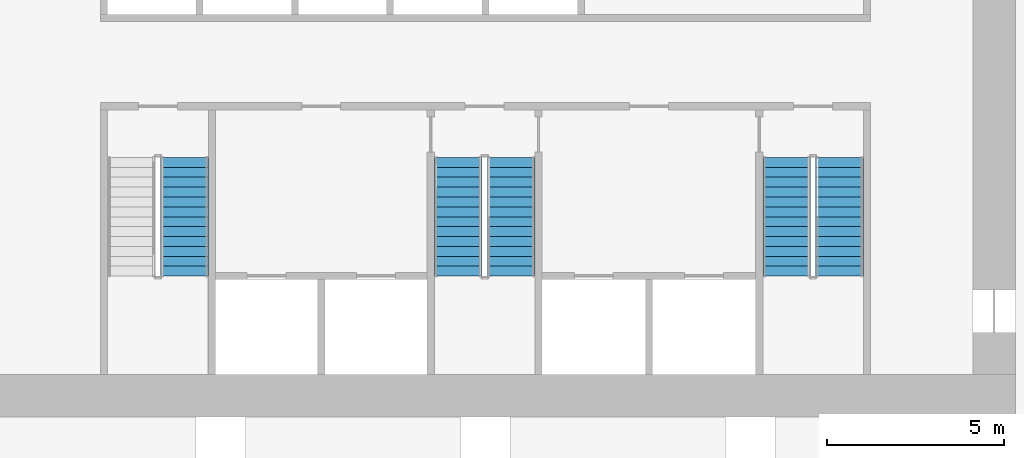
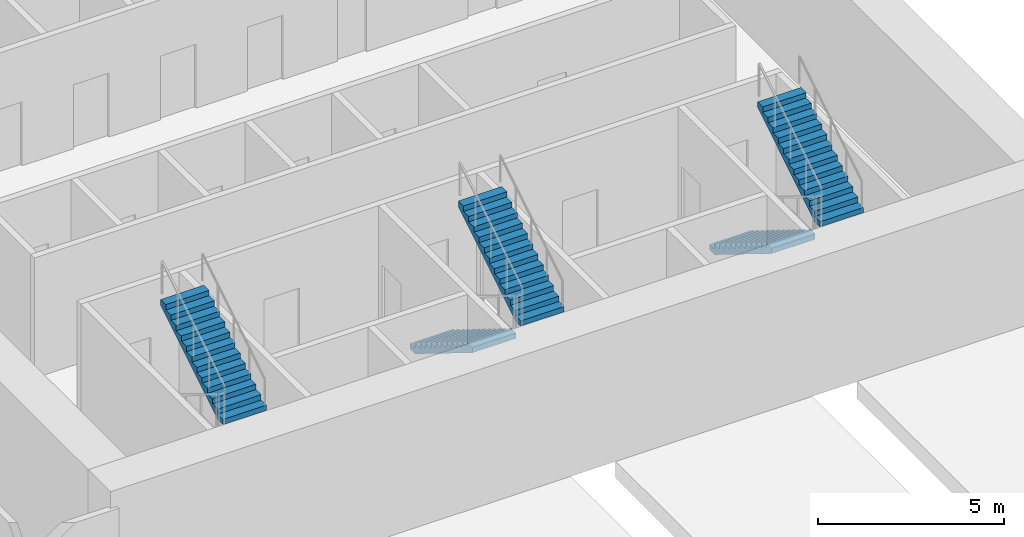
# One storey, part 10 of 13: 5 stair flights, 3 elements without a shape of their own.
"""IFC4 building model written with IfcOpenShell, lengths in metres."""

import ifcopenshell
import ifcopenshell.guid

model = None  # the IFC model being written
_history = None  # IfcOwnerHistory: only IFC2X3 demands one
_inside = {}  # id of a spatial element -> (the spatial element, [elements in it])
_under = {}  # id of a project, library or spatial element -> (it, [spatial elements below it])
_declared = {}  # id of a project -> (the project, [libraries it declares])
_typed = {}  # id of a type object -> (the type object, [elements of that type])
_made_of = {}  # id of a material, layer set ... -> (it, [elements and type objects made of it])


def new_model(schema):
    """Start an empty IFC model of exactly this schema.

    Asked for "IFC4X3", IfcOpenShell would pick the latest addendum, in which some entities
    have other attributes; the version numbers below select the first issue.
    IFC2X3 requires an IfcOwnerHistory on every rooted entity: one is made here for all.
    """
    global model, _history
    if schema == "IFC4X3":
        model = ifcopenshell.file(schema_version=(4, 3, 0, 0))
    else:
        model = ifcopenshell.file(schema=schema)
    _inside.clear()
    _under.clear()
    _declared.clear()
    _typed.clear()
    _made_of.clear()
    _history = None
    if model.schema == "IFC2X3":
        org = make("IfcOrganization", Name="unknown")
        user = make(
            "IfcPersonAndOrganization",
            ThePerson=make("IfcPerson", FamilyName="unknown"),
            TheOrganization=org,
        )
        app = make(
            "IfcApplication",
            ApplicationDeveloper=org,
            Version="unknown",
            ApplicationFullName="unknown",
            ApplicationIdentifier="unknown",
        )
        _history = make(
            "IfcOwnerHistory",
            OwningUser=user,
            OwningApplication=app,
            ChangeAction="ADDED",
            CreationDate=0,
        )
    return model


def make(cls, **values):
    """One entity of the class cls with the attributes given. An attribute that is None is left unset."""
    return model.create_entity(
        cls, **{name: value for name, value in values.items() if value is not None}
    )


def rooted(cls, **values):
    """An entity with a GlobalId (a new one), such as an element, a storey or a relation."""
    return make(cls, GlobalId=ifcopenshell.guid.new(), OwnerHistory=_history, **values)


def si_unit(unit_type, name, prefix=None):
    """IfcSIUnit, for example si_unit("LENGTHUNIT", "METRE", prefix="MILLI")."""
    return make("IfcSIUnit", UnitType=unit_type, Prefix=prefix, Name=name)


def assignment(units):
    """IfcUnitAssignment: the units of a project."""
    return None if units is None else make("IfcUnitAssignment", Units=units)


def point(xyz):
    """IfcCartesianPoint."""
    return None if xyz is None else make("IfcCartesianPoint", Coordinates=xyz)


def direction(xyz):
    """IfcDirection."""
    return None if xyz is None else make("IfcDirection", DirectionRatios=xyz)


def frame(location, z_axis=None, x_axis=None):
    """IfcAxis2Placement3D, a coordinate frame: its origin and axes. An axis left out is left unset."""
    return make(
        "IfcAxis2Placement3D",
        Location=point(location),
        Axis=direction(z_axis),
        RefDirection=direction(x_axis),
    )


def origin():
    """The frame at (0, 0, 0) with its axes left unset."""
    return frame((0.0, 0.0, 0.0))


def place(relative_to, where):
    """IfcLocalPlacement: puts the frame where relative to a parent placement (None: the world)."""
    return make(
        "IfcLocalPlacement", PlacementRelTo=relative_to, RelativePlacement=where
    )


def context(
    kind, dimensions, precision=None, world=None, true_north=None, identifier=None
):
    """IfcGeometricRepresentationContext, for example the 3D "Model" context."""
    return make(
        "IfcGeometricRepresentationContext",
        ContextIdentifier=identifier,
        ContextType=kind,
        CoordinateSpaceDimension=dimensions,
        Precision=precision,
        WorldCoordinateSystem=world,
        TrueNorth=true_north,
    )


def subcontext(parent, identifier, kind, view, scale=None):
    """IfcGeometricRepresentationSubContext, for example "Body" below "Model"."""
    return make(
        "IfcGeometricRepresentationSubContext",
        ContextIdentifier=identifier,
        ContextType=kind,
        ParentContext=parent,
        TargetScale=scale,
        TargetView=view,
    )


def project(units=None, contexts=None):
    """IfcProject with its units and contexts."""
    return rooted(
        "IfcProject",
        Name="project",
        RepresentationContexts=contexts,
        UnitsInContext=assignment(units),
    )


def spatial(cls, under=None, at=None, **own):
    """A site, building, storey or space (cls), placed at a placement, below another one or the project."""
    s = rooted(cls, ObjectPlacement=at, **own)
    if under is not None:
        _under.setdefault(under.id(), (under, []))[1].append(s)
    return s


def polyline(points):
    """IfcPolyline through the points."""
    return make("IfcPolyline", Points=[point(p) for p in points])


def outline(outer, holes=None, kind="AREA"):
    """IfcArbitraryClosedProfileDef: a profile drawn as a closed curve; with holes, ...WithVoids."""
    if holes is None:
        return make("IfcArbitraryClosedProfileDef", ProfileType=kind, OuterCurve=outer)
    return make(
        "IfcArbitraryProfileDefWithVoids",
        ProfileType=kind,
        OuterCurve=outer,
        InnerCurves=holes,
    )


def extrude(swept, where, along, depth):
    """IfcExtrudedAreaSolid: the profile swept, set in the frame where, extruded along a direction by depth."""
    return make(
        "IfcExtrudedAreaSolid",
        SweptArea=swept,
        Position=where,
        ExtrudedDirection=direction(along),
        Depth=depth,
    )


def shape(context_of_items, identifier, shape_type, items):
    """IfcShapeRepresentation: the items that make up one representation, for example the "Body"."""
    return make(
        "IfcShapeRepresentation",
        ContextOfItems=context_of_items,
        RepresentationIdentifier=identifier,
        RepresentationType=shape_type,
        Items=items,
    )


def material(Name=None, Category=None):
    """IfcMaterial."""
    return make("IfcMaterial", Name=Name, Category=Category)


def made_of(thing, what):
    """Note that an element or type object is made of a material, layer set ...; save() writes the relation."""
    if what is not None:
        _made_of.setdefault(what.id(), (what, []))[1].append(thing)
    return thing


def type_object(cls, material=None, **own):
    """A type object (cls), such as IfcWallType, which elements share."""
    return made_of(rooted(cls, **own), material)


def element(
    cls,
    number,
    at=None,
    inside=None,
    cuts=None,
    type_object=None,
    material=None,
    context=None,
    identifier="Body",
    shape_type=None,
    held_by="IfcProductDefinitionShape",
    body=None,
    shapes=None,
    **own,
):
    """One element of the class cls, such as IfcWall. Its Tag is "e" and its number.

    at: its placement. inside: the storey or other place that contains it. cuts: it is an
    opening in that element (IfcRelVoidsElement). A single representation is given by context,
    identifier, shape_type and body (its items); several are given by shapes. held_by: the class
    of the entity that holds the representations. save() writes the other relations.
    """
    e = rooted(cls, Tag="e%d" % number, ObjectPlacement=at, **own)
    if body is not None:
        shapes = [shape(context, identifier, shape_type, body)]
    if shapes is not None:
        e.Representation = make(held_by, Representations=shapes)
    if inside is not None:
        _inside.setdefault(inside.id(), (inside, []))[1].append(e)
    if cuts is not None:
        rooted(
            "IfcRelVoidsElement", RelatingBuildingElement=cuts, RelatedOpeningElement=e
        )
    if type_object is not None:
        _typed.setdefault(type_object.id(), (type_object, []))[1].append(e)
    return made_of(e, material)


def aggregate(whole, parts):
    """IfcRelAggregates: a whole, such as a stair, and the parts it consists of."""
    return rooted("IfcRelAggregates", RelatingObject=whole, RelatedObjects=parts)


def save(model, path):
    """Write the relations noted so far, then the file.

    IfcRelAggregates (storeys below a building ...), IfcRelContainedInSpatialStructure (elements
    in a storey), IfcRelDefinesByType, IfcRelAssociatesMaterial and IfcRelDeclares: one each for
    every whole, place, type object, material and project.
    """
    for whole, parts in _under.values():
        aggregate(whole, parts)
    for where, things in _inside.values():
        rooted(
            "IfcRelContainedInSpatialStructure",
            RelatedElements=things,
            RelatingStructure=where,
        )
    for kind, things in _typed.values():
        rooted("IfcRelDefinesByType", RelatedObjects=things, RelatingType=kind)
    for what, things in _made_of.values():
        rooted("IfcRelAssociatesMaterial", RelatedObjects=things, RelatingMaterial=what)
    for by, libraries in _declared.values():
        rooted("IfcRelDeclares", RelatingContext=by, RelatedDefinitions=libraries)
    model.write(path)


model = new_model("IFC4")

# Units and contexts
model_context = context("Model", 3, precision=1e-05, world=origin(), true_north=direction((0.0, 1.0)))
body_context = subcontext(model_context, "Body", "Model", "MODEL_VIEW")
ifc_project = project(units=[si_unit("LENGTHUNIT", "METRE"), si_unit("AREAUNIT", "SQUARE_METRE"), si_unit("VOLUMEUNIT", "CUBIC_METRE"), si_unit("PLANEANGLEUNIT", "RADIAN"), si_unit("MASSUNIT", "GRAM", prefix="KILO")], contexts=[model_context])

# Site, building, storey
site_placement = place(None, origin())
site = spatial("IfcSite", under=ifc_project, at=site_placement, CompositionType="ELEMENT")
building_placement = place(site_placement, origin())
building = spatial("IfcBuilding", under=site, at=building_placement, Name="Mangrove Gate Tower", CompositionType="ELEMENT")
storey_placement = place(building_placement, frame((0.0, 0.0, 20.5)))
storey = spatial("IfcBuildingStorey", under=building, at=storey_placement, Name="L04", CompositionType="ELEMENT", Elevation=20.5)

# Stair, stair flight
ifc_material_1 = material(Name="Concrete C40/50", Category="concrete")
stair_type = type_object("IfcStairType", Name="Core stair 1350", PredefinedType="HALF_TURN_STAIR", material=ifc_material_1)
stair_1_placement = place(storey_placement, origin())
stair_1 = element("IfcStair", 1, at=stair_1_placement, inside=storey, type_object=stair_type, Name="L04 Stair 1", PredefinedType="HALF_TURN_STAIR")
ifc_material_2 = material(Name="Concrete C40/50", Category="concrete")
stair_flight_type = type_object("IfcStairFlightType", Name="Core stair flight 1350", PredefinedType="STRAIGHT", material=ifc_material_2)
stair_flight_1_placement = place(storey_placement, frame((-8.52490234375, -8.010009765625, 2.25), z_axis=(0.0, 0.0, 1.0), x_axis=(0.0, 1.0, 0.0)))
stair_flight_1 = element("IfcStairFlight", 2, at=stair_flight_1_placement, type_object=stair_flight_type, Name="ST1 flight 2", NumberOfRisers=13, NumberOfTreads=12, PredefinedType="STRAIGHT", RiserHeight=0.173076923, TreadLength=0.28, context=body_context, shape_type="SweptSolid", body=[
    extrude(outline(polyline([(0.0, 0.0), (0.0, 0.173095703125), (0.280029296875, 0.173095703125), (0.280029296875, 0.34619140625), (0.56005859375, 0.34619140625), (0.56005859375, 0.519287109375), (0.840087890625, 0.519287109375), (0.840087890625, 0.6923828125), (1.1201171875, 0.6923828125), (1.1201171875, 0.865478515625), (1.39990234375, 0.865478515625), (1.39990234375, 1.03857421875), (1.679931640625, 1.03857421875), (1.679931640625, 1.21142578125), (1.9599609375, 1.21142578125), (1.9599609375, 1.384521484375), (2.239990234375, 1.384521484375), (2.239990234375, 1.5576171875), (2.52001953125, 1.5576171875), (2.52001953125, 1.730712890625), (2.800048828125, 1.730712890625), (2.800048828125, 1.90380859375), (3.080078125, 1.90380859375), (3.080078125, 2.076904296875), (3.360107421875, 2.076904296875), (3.360107421875, 2.25), (3.360107421875, 1.900634765625), (0.28515625, 0.0), (0.0, 0.0)])), frame((0.0, 0.675048828125, 0.0), z_axis=(0.0, -1.0, 0.0), x_axis=(1.0, 0.0, 0.0)), (0.0, 0.0, 1.0), 1.35009765625),
])
aggregate(stair_1, [stair_flight_1])

# Stair, stair flights
stair_2_placement = place(storey_placement, origin())
stair_2 = element("IfcStair", 3, at=stair_2_placement, inside=storey, type_object=stair_type, Name="L04 Stair 2", PredefinedType="HALF_TURN_STAIR")
stair_flight_2_placement = place(storey_placement, frame((-0.77490234375, -4.64990234375, 0.0), z_axis=(0.0, 0.0, 1.0), x_axis=(0.0, -1.0, 0.0)))
stair_flight_2 = element("IfcStairFlight", 4, at=stair_flight_2_placement, type_object=stair_flight_type, Name="ST2 flight 1", NumberOfRisers=13, NumberOfTreads=12, PredefinedType="STRAIGHT", RiserHeight=0.173076923, TreadLength=0.28, context=body_context, shape_type="SweptSolid", body=[
    extrude(outline(polyline([(0.0, 0.0), (0.0, 0.173095703125), (0.280029296875, 0.173095703125), (0.280029296875, 0.34619140625), (0.56005859375, 0.34619140625), (0.56005859375, 0.519287109375), (0.840087890625, 0.519287109375), (0.840087890625, 0.6923828125), (1.1201171875, 0.6923828125), (1.1201171875, 0.865478515625), (1.39990234375, 0.865478515625), (1.39990234375, 1.03857421875), (1.679931640625, 1.03857421875), (1.679931640625, 1.21142578125), (1.9599609375, 1.21142578125), (1.9599609375, 1.384521484375), (2.239990234375, 1.384521484375), (2.239990234375, 1.5576171875), (2.52001953125, 1.5576171875), (2.52001953125, 1.730712890625), (2.800048828125, 1.730712890625), (2.800048828125, 1.90380859375), (3.080078125, 1.90380859375), (3.080078125, 2.076904296875), (3.360107421875, 2.076904296875), (3.360107421875, 2.25), (3.360107421875, 1.900634765625), (0.28515625, 0.0), (0.0, 0.0)])), frame((0.0, 0.675048828125, 0.0), z_axis=(0.0, -1.0, 0.0), x_axis=(1.0, 0.0, 0.0)), (0.0, 0.0, 1.0), 1.35009765625),
])
stair_flight_3_placement = place(storey_placement, frame((0.72509765625, -8.010009765625, 2.25), z_axis=(0.0, 0.0, 1.0), x_axis=(0.0, 1.0, 0.0)))
stair_flight_3 = element("IfcStairFlight", 5, at=stair_flight_3_placement, type_object=stair_flight_type, Name="ST2 flight 2", NumberOfRisers=13, NumberOfTreads=12, PredefinedType="STRAIGHT", RiserHeight=0.173076923, TreadLength=0.28, context=body_context, shape_type="SweptSolid", body=[
    extrude(outline(polyline([(0.0, 0.0), (0.0, 0.173095703125), (0.280029296875, 0.173095703125), (0.280029296875, 0.34619140625), (0.56005859375, 0.34619140625), (0.56005859375, 0.519287109375), (0.840087890625, 0.519287109375), (0.840087890625, 0.6923828125), (1.1201171875, 0.6923828125), (1.1201171875, 0.865478515625), (1.39990234375, 0.865478515625), (1.39990234375, 1.03857421875), (1.679931640625, 1.03857421875), (1.679931640625, 1.21142578125), (1.9599609375, 1.21142578125), (1.9599609375, 1.384521484375), (2.239990234375, 1.384521484375), (2.239990234375, 1.5576171875), (2.52001953125, 1.5576171875), (2.52001953125, 1.730712890625), (2.800048828125, 1.730712890625), (2.800048828125, 1.90380859375), (3.080078125, 1.90380859375), (3.080078125, 2.076904296875), (3.360107421875, 2.076904296875), (3.360107421875, 2.25), (3.360107421875, 1.900634765625), (0.28515625, 0.0), (0.0, 0.0)])), frame((0.0, 0.675048828125, 0.0), z_axis=(0.0, -1.0, 0.0), x_axis=(1.0, 0.0, 0.0)), (0.0, 0.0, 1.0), 1.35009765625),
])
aggregate(stair_2, [stair_flight_2, stair_flight_3])

stair_3_placement = place(storey_placement, origin())
stair_3 = element("IfcStair", 6, at=stair_3_placement, inside=storey, type_object=stair_type, Name="L04 Stair 3", PredefinedType="HALF_TURN_STAIR")
stair_flight_4_placement = place(storey_placement, frame((8.52490234375, -4.64990234375, 0.0), z_axis=(0.0, 0.0, 1.0), x_axis=(0.0, -1.0, 0.0)))
stair_flight_4 = element("IfcStairFlight", 7, at=stair_flight_4_placement, type_object=stair_flight_type, Name="ST3 flight 1", NumberOfRisers=13, NumberOfTreads=12, PredefinedType="STRAIGHT", RiserHeight=0.173076923, TreadLength=0.28, context=body_context, shape_type="SweptSolid", body=[
    extrude(outline(polyline([(0.0, 0.0), (0.0, 0.173095703125), (0.280029296875, 0.173095703125), (0.280029296875, 0.34619140625), (0.56005859375, 0.34619140625), (0.56005859375, 0.519287109375), (0.840087890625, 0.519287109375), (0.840087890625, 0.6923828125), (1.1201171875, 0.6923828125), (1.1201171875, 0.865478515625), (1.39990234375, 0.865478515625), (1.39990234375, 1.03857421875), (1.679931640625, 1.03857421875), (1.679931640625, 1.21142578125), (1.9599609375, 1.21142578125), (1.9599609375, 1.384521484375), (2.239990234375, 1.384521484375), (2.239990234375, 1.5576171875), (2.52001953125, 1.5576171875), (2.52001953125, 1.730712890625), (2.800048828125, 1.730712890625), (2.800048828125, 1.90380859375), (3.080078125, 1.90380859375), (3.080078125, 2.076904296875), (3.360107421875, 2.076904296875), (3.360107421875, 2.25), (3.360107421875, 1.900634765625), (0.28515625, 0.0), (0.0, 0.0)])), frame((0.0, 0.675048828125, 0.0), z_axis=(0.0, -1.0, 0.0), x_axis=(1.0, 0.0, 0.0)), (0.0, 0.0, 1.0), 1.35009765625),
])
stair_flight_5_placement = place(storey_placement, frame((10.02490234375, -8.010009765625, 2.25), z_axis=(0.0, 0.0, 1.0), x_axis=(0.0, 1.0, 0.0)))
stair_flight_5 = element("IfcStairFlight", 8, at=stair_flight_5_placement, type_object=stair_flight_type, Name="ST3 flight 2", NumberOfRisers=13, NumberOfTreads=12, PredefinedType="STRAIGHT", RiserHeight=0.173076923, TreadLength=0.28, context=body_context, shape_type="SweptSolid", body=[
    extrude(outline(polyline([(0.0, 0.0), (0.0, 0.173095703125), (0.280029296875, 0.173095703125), (0.280029296875, 0.34619140625), (0.56005859375, 0.34619140625), (0.56005859375, 0.519287109375), (0.840087890625, 0.519287109375), (0.840087890625, 0.6923828125), (1.1201171875, 0.6923828125), (1.1201171875, 0.865478515625), (1.39990234375, 0.865478515625), (1.39990234375, 1.03857421875), (1.679931640625, 1.03857421875), (1.679931640625, 1.21142578125), (1.9599609375, 1.21142578125), (1.9599609375, 1.384521484375), (2.239990234375, 1.384521484375), (2.239990234375, 1.5576171875), (2.52001953125, 1.5576171875), (2.52001953125, 1.730712890625), (2.800048828125, 1.730712890625), (2.800048828125, 1.90380859375), (3.080078125, 1.90380859375), (3.080078125, 2.076904296875), (3.360107421875, 2.076904296875), (3.360107421875, 2.25), (3.360107421875, 1.900634765625), (0.28515625, 0.0), (0.0, 0.0)])), frame((0.0, 0.675048828125, 0.0), z_axis=(0.0, -1.0, 0.0), x_axis=(1.0, 0.0, 0.0)), (0.0, 0.0, 1.0), 1.35009765625),
])
aggregate(stair_3, [stair_flight_4, stair_flight_5])

save(model, "model.ifc")
